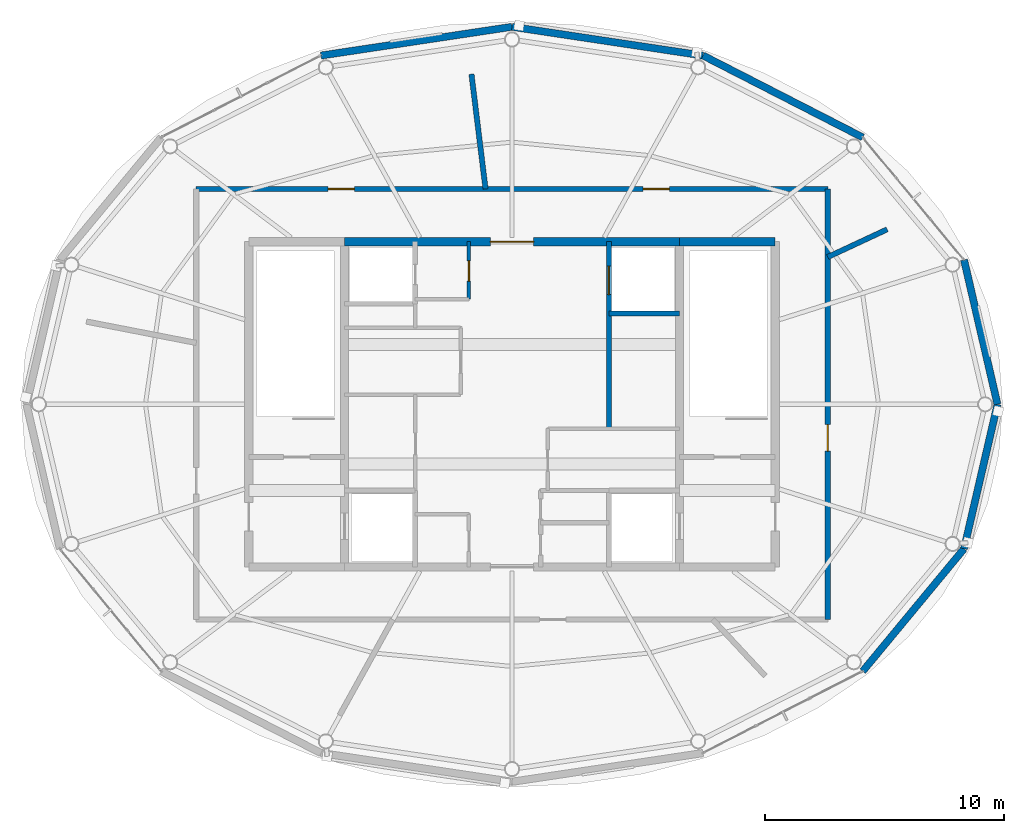
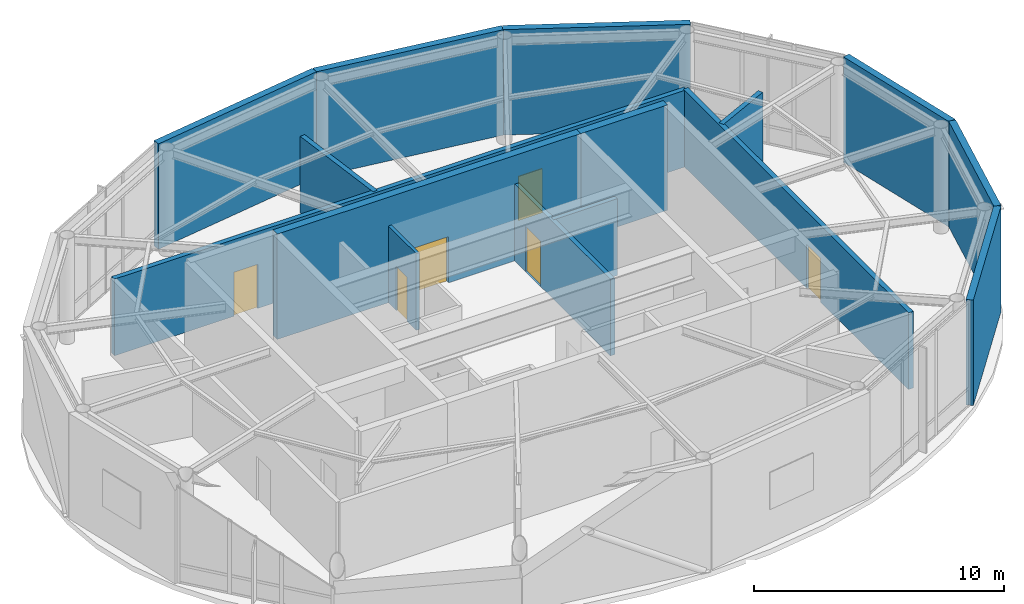
# One storey, part 13 of 14: 15 walls, 6 doors, 6 openings.
"""IFC4 building model written with IfcOpenShell, lengths in metres."""

from ifc_helpers import new_model, si_unit, direction, frame, frame_2d, origin, place, context, subcontext, project, spatial, rectangle, extrude, material, layer, layer_set, type_object, element, fill, save


model = new_model("IFC4")

# Units and contexts
model_context = context("Model", 3, precision=1e-05, world=origin(), true_north=direction((0.0, 1.0)))
body_context = subcontext(model_context, "Body", "Model", "MODEL_VIEW")
ifc_project = project(units=[si_unit("LENGTHUNIT", "METRE"), si_unit("AREAUNIT", "SQUARE_METRE"), si_unit("VOLUMEUNIT", "CUBIC_METRE"), si_unit("PLANEANGLEUNIT", "RADIAN"), si_unit("MASSUNIT", "GRAM", prefix="KILO")], contexts=[model_context])

# Site, building, storey
site_placement = place(None, origin())
site = spatial("IfcSite", under=ifc_project, at=site_placement, CompositionType="ELEMENT")
building_placement = place(site_placement, origin())
building = spatial("IfcBuilding", under=site, at=building_placement, Name="Sarneth Arch Tower", CompositionType="ELEMENT")
storey_placement = place(building_placement, frame((0.0, 0.0, 321.60009765625)))
storey = spatial("IfcBuildingStorey", under=building, at=storey_placement, Name="L83", CompositionType="ELEMENT", Elevation=321.60009765625)

# Wall, opening, door
ifc_material_1 = material(Name="Concrete C50/60", Category="concrete")
ifc_layer_1 = layer(ifc_material_1, 0.35009765625)
ifc_layer_set_1 = layer_set([ifc_layer_1], Name="Concrete C50/60")
wall_type_1 = type_object("IfcWallType", Name="WALL-CORE-350", PredefinedType="SHEAR", material=ifc_layer_set_1)
wall_1_placement = place(storey_placement, frame((41.0, 48.800048828125, 0.0), z_axis=(0.0, 0.0, 1.0), x_axis=(1.0, 0.0, 0.0)))
wall_1 = element("IfcWall", 1, at=wall_1_placement, inside=storey, type_object=wall_type_1, Name="L83 Core shear wall N-M", PredefinedType="SHEAR", context=body_context, shape_type="SweptSolid", body=[
    extrude(rectangle(XDim=14.0, YDim=0.35009765625, at=frame_2d((7.0, 0.0))), origin(), (0.0, 0.0, 1.0), 5.139892578125),
])
opening_1_placement = place(wall_1_placement, frame((6.10009765625, 0.0, 0.0)))
opening_1 = element("IfcOpeningElement", 2, at=opening_1_placement, cuts=wall_1, Name="Opening FD-01", PredefinedType="OPENING", context=body_context, shape_type="SweptSolid", body=[
    extrude(rectangle(XDim=1.800048828125, YDim=2.25, at=frame_2d((0.89990234375, 1.125))), frame((0.0, 0.18505859375, 0.0), z_axis=(0.0, -1.0, 0.0), x_axis=(1.0, 0.0, 0.0)), (0.0, 0.0, 1.0), 0.3701171875),
])
ifc_material_2 = material(Name="Galvanised Steel S275 fire door set", Category="steel")
door_type_1 = type_object("IfcDoorType", Name="DR-FD90-1800", OperationType="DOUBLE_DOOR_SINGLE_SWING", PredefinedType="DOOR", material=ifc_material_2)
door_1_placement = place(opening_1_placement, origin())
door_1 = element("IfcDoor", 3, at=door_1_placement, inside=storey, type_object=door_type_1, Name="L83 Central lift lobby north door", OperationType="DOUBLE_DOOR_SINGLE_SWING", OverallHeight=2.25, OverallWidth=1.800048828125, PredefinedType="DOOR", context=body_context, shape_type="SweptSolid", body=[
    extrude(rectangle(XDim=1.800048828125, YDim=2.25, at=frame_2d((0.89990234375, 1.125))), frame((0.0, 0.02490234375, 0.0), z_axis=(0.0, -1.0, 0.0), x_axis=(1.0, 0.0, 0.0)), (0.0, 0.0, 1.0), 0.050048828125),
])
fill(opening_1, door_1)

# Walls
wall_2_placement = place(storey_placement, frame((55.0, 48.800048828125, 0.0), z_axis=(0.0, 0.0, 1.0), x_axis=(1.0, 0.0, 0.0)))
element("IfcWall", 4, at=wall_2_placement, inside=storey, type_object=wall_type_1, Name="L83 Core shear wall N-E", PredefinedType="SHEAR", context=body_context, shape_type="SweptSolid", body=[
    extrude(rectangle(XDim=4.0, YDim=0.35009765625, at=frame_2d((2.0, 0.0))), origin(), (0.0, 0.0, 1.0), 5.139892578125),
])
ifc_material_3 = material(Name="Extruded terracotta rainscreen on Concrete C40/50 backing", Category="masonry")
ifc_layer_2 = layer(ifc_material_3, 0.300048828125)
ifc_layer_set_2 = layer_set([ifc_layer_2], Name="Extruded terracotta rainscreen on Concrete C40/50 backing")
wall_type_2 = type_object("IfcWallType", Name="WALL-EXT-ACOUST-300", PredefinedType="SOLIDWALL", material=ifc_layer_set_2)
wall_3_placement = place(storey_placement, frame((68.29541015625, 42.0, 0.0), z_axis=(0.0, 0.0, 1.0), x_axis=(-0.225604460723, 0.974218983238, 0.0)))
element("IfcWall", 5, at=wall_3_placement, inside=storey, type_object=wall_type_2, Name="L83 Terracotta perimeter wall 01", PredefinedType="SOLIDWALL", context=body_context, shape_type="SweptSolid", body=[
    extrude(rectangle(XDim=6.19873046875, YDim=0.300048828125, at=frame_2d((3.099365234375, 0.0))), origin(), (0.0, 0.0, 1.0), 5.139892578125),
])
wall_4_placement = place(storey_placement, frame((62.6611328125, 53.158203125, 0.0), z_axis=(0.0, 0.0, 1.0), x_axis=(-0.889963468701, 0.456031823866, 0.0)))
element("IfcWall", 6, at=wall_4_placement, inside=storey, type_object=wall_type_2, Name="L83 Terracotta perimeter wall 03", PredefinedType="SOLIDWALL", context=body_context, shape_type="SweptSolid", body=[
    extrude(rectangle(XDim=7.5009765625, YDim=0.300048828125, at=frame_2d((3.75048828125, 0.0))), origin(), (0.0, 0.0, 1.0), 5.139892578125),
])
for number, where, z_axis, x_axis, name in (
    (7, (55.985595703125, 56.578857421875, 0.0), (0.0, 0.0, 1.0), (-0.988875731541, 0.148744033727, 0.0), "L83 Terracotta perimeter wall 04"),
    (8, (48.0, 57.780029296875, 0.0), (0.0, 0.0, 1.0), (-0.988875731541, -0.148744033727, 0.0), "L83 Terracotta perimeter wall 05"),
):
    element("IfcWall", number, at=place(storey_placement, frame(where, z_axis=z_axis, x_axis=x_axis)), inside=storey, type_object=wall_type_2, Name=name, PredefinedType="SOLIDWALL", context=body_context, shape_type="SweptSolid", body=[
        extrude(rectangle(XDim=8.075439453125, YDim=0.300048828125, at=frame_2d((4.03759765625, 0.0))), origin(), (0.0, 0.0, 1.0), 5.139892578125),
    ])
wall_5_placement = place(storey_placement, frame((62.6611328125, 30.841796875, 0.0), z_axis=(0.0, 0.0, 1.0), x_axis=(0.637488001771, 0.770460282947, 0.0)))
element("IfcWall", 9, at=wall_5_placement, inside=storey, type_object=wall_type_2, Name="L83 Terracotta perimeter wall 15", PredefinedType="SOLIDWALL", context=body_context, shape_type="SweptSolid", body=[
    extrude(rectangle(XDim=6.64453125, YDim=0.300048828125, at=frame_2d((3.322265625, 0.0))), origin(), (0.0, 0.0, 1.0), 5.139892578125),
])
wall_6_placement = place(storey_placement, frame((66.89697265625, 35.961181640625, 0.0), z_axis=(0.0, 0.0, 1.0), x_axis=(0.225604460723, 0.974218983238, 0.0)))
element("IfcWall", 10, at=wall_6_placement, inside=storey, type_object=wall_type_2, Name="L83 Terracotta perimeter wall 16", PredefinedType="SOLIDWALL", context=body_context, shape_type="SweptSolid", body=[
    extrude(rectangle(XDim=6.19873046875, YDim=0.300048828125, at=frame_2d((3.099365234375, 0.0))), origin(), (0.0, 0.0, 1.0), 5.139892578125),
])

# Wall, opening, door
ifc_material_4 = material(Name="Aerated concrete blockwork C25/30", Category="masonry")
ifc_layer_3 = layer(ifc_material_4, 0.219970703125)
ifc_layer_set_3 = layer_set([ifc_layer_3], Name="Aerated concrete blockwork C25/30")
wall_type_3 = type_object("IfcWallType", Name="WALL-FIRE-220", PredefinedType="SOLIDWALL", material=ifc_layer_set_3)
wall_7_placement = place(storey_placement, frame((61.199951171875, 51.0, 0.0), z_axis=(0.0, 0.0, 1.0), x_axis=(0.0, -1.0, 0.0)))
wall_7 = element("IfcWall", 11, at=wall_7_placement, inside=storey, type_object=wall_type_3, Name="L83 Interior partition W-L83-TP-008", PredefinedType="SOLIDWALL", context=body_context, shape_type="SweptSolid", body=[
    extrude(rectangle(XDim=18.0, YDim=0.219970703125, at=frame_2d((9.0, 0.0))), origin(), (0.0, 0.0, 1.0), 3.739990234375),
])
opening_2_placement = place(wall_7_placement, frame((9.854736328125, 0.0, 0.0)))
opening_2 = element("IfcOpeningElement", 12, at=opening_2_placement, cuts=wall_7, Name="Opening FD-03", PredefinedType="OPENING", context=body_context, shape_type="SweptSolid", body=[
    extrude(rectangle(XDim=1.10009765625, YDim=2.14990234375, at=frame_2d((0.550048828125, 1.074951171875))), frame((0.0, 0.119873046875, 0.0), z_axis=(0.0, -1.0, 0.0), x_axis=(1.0, 0.0, 0.0)), (0.0, 0.0, 1.0), 0.239990234375),
])
ifc_material_5 = material(Name="Galvanised Steel S275 fire door set", Category="steel")
door_type_2 = type_object("IfcDoorType", Name="DR-FD90-1100", OperationType="SINGLE_SWING_LEFT", PredefinedType="DOOR", material=ifc_material_5)
door_2_placement = place(opening_2_placement, origin())
door_2 = element("IfcDoor", 13, at=door_2_placement, inside=storey, type_object=door_type_2, Name="L83 Interior door DR-L83-PSEC-5", OperationType="SINGLE_SWING_RIGHT", OverallHeight=2.14990234375, OverallWidth=1.10009765625, PredefinedType="DOOR", context=body_context, shape_type="SweptSolid", body=[
    extrude(rectangle(XDim=1.10009765625, YDim=2.14990234375, at=frame_2d((0.550048828125, 1.074951171875))), frame((0.0, 0.02490234375, 0.0), z_axis=(0.0, -1.0, 0.0), x_axis=(1.0, 0.0, 0.0)), (0.0, 0.0, 1.0), 0.050048828125),
])
fill(opening_2, door_2)

# Wall, openings, doors
wall_8_placement = place(storey_placement, frame((34.800048828125, 51.0, 0.0), z_axis=(0.0, 0.0, 1.0), x_axis=(1.0, 0.0, 0.0)))
wall_8 = element("IfcWall", 14, at=wall_8_placement, inside=storey, type_object=wall_type_3, Name="L83 Interior partition W-L83-TP-001", PredefinedType="SOLIDWALL", context=body_context, shape_type="SweptSolid", body=[
    extrude(rectangle(XDim=26.39990234375, YDim=0.219970703125, at=frame_2d((13.199951171875, 0.0))), origin(), (0.0, 0.0, 1.0), 3.739990234375),
])
opening_3_placement = place(wall_8_placement, frame((18.681396484375, 0.0, 0.0)))
opening_3 = element("IfcOpeningElement", 15, at=opening_3_placement, cuts=wall_8, Name="Opening FD-03", PredefinedType="OPENING", context=body_context, shape_type="SweptSolid", body=[
    extrude(rectangle(XDim=1.10009765625, YDim=2.14990234375, at=frame_2d((0.550048828125, 1.074951171875))), frame((0.0, 0.119873046875, 0.0), z_axis=(0.0, -1.0, 0.0), x_axis=(1.0, 0.0, 0.0)), (0.0, 0.0, 1.0), 0.239990234375),
])
opening_4_placement = place(wall_8_placement, frame((5.513671875, 0.0, 0.0)))
opening_4 = element("IfcOpeningElement", 16, at=opening_4_placement, cuts=wall_8, Name="Opening FD-03", PredefinedType="OPENING", context=body_context, shape_type="SweptSolid", body=[
    extrude(rectangle(XDim=1.10009765625, YDim=2.14990234375, at=frame_2d((0.550048828125, 1.074951171875))), frame((0.0, 0.119873046875, 0.0), z_axis=(0.0, -1.0, 0.0), x_axis=(1.0, 0.0, 0.0)), (0.0, 0.0, 1.0), 0.239990234375),
])
door_3_placement = place(opening_3_placement, origin())
door_3 = element("IfcDoor", 17, at=door_3_placement, inside=storey, type_object=door_type_2, Name="L83 Interior door DR-L83-PSEC-1", OperationType="SINGLE_SWING_LEFT", OverallHeight=2.14990234375, OverallWidth=1.10009765625, PredefinedType="DOOR", context=body_context, shape_type="SweptSolid", body=[
    extrude(rectangle(XDim=1.10009765625, YDim=2.14990234375, at=frame_2d((0.550048828125, 1.074951171875))), frame((0.0, 0.02490234375, 0.0), z_axis=(0.0, -1.0, 0.0), x_axis=(1.0, 0.0, 0.0)), (0.0, 0.0, 1.0), 0.050048828125),
])
fill(opening_3, door_3)
door_4_placement = place(opening_4_placement, origin())
door_4 = element("IfcDoor", 18, at=door_4_placement, inside=storey, type_object=door_type_2, Name="L83 Interior door DR-L83-PSEC-2", OperationType="SINGLE_SWING_LEFT", OverallHeight=2.14990234375, OverallWidth=1.10009765625, PredefinedType="DOOR", context=body_context, shape_type="SweptSolid", body=[
    extrude(rectangle(XDim=1.10009765625, YDim=2.14990234375, at=frame_2d((0.550048828125, 1.074951171875))), frame((0.0, 0.02490234375, 0.0), z_axis=(0.0, -1.0, 0.0), x_axis=(1.0, 0.0, 0.0)), (0.0, 0.0, 1.0), 0.050048828125),
])
fill(opening_4, door_4)

# Walls
wall_9_placement = place(storey_placement, frame((46.89501953125, 51.0, 0.0), z_axis=(0.0, 0.0, 1.0), x_axis=(-0.121854674678, 0.992547952625, 0.0)))
element("IfcWall", 19, at=wall_9_placement, inside=storey, type_object=wall_type_3, Name="L83 Interior partition W-L83-TP-010", PredefinedType="SOLIDWALL", context=body_context, shape_type="SweptSolid", body=[
    extrude(rectangle(XDim=4.838623046875, YDim=0.219970703125, at=frame_2d((2.41943359375, 0.0))), origin(), (0.0, 0.0, 1.0), 3.739990234375),
])
wall_10_placement = place(storey_placement, frame((61.199951171875, 48.1552734375, 0.0), z_axis=(0.0, 0.0, 1.0), x_axis=(0.906292453065, 0.422651143991, 0.0)))
element("IfcWall", 20, at=wall_10_placement, inside=storey, type_object=wall_type_3, Name="L83 Interior partition W-L83-TP-011", PredefinedType="SOLIDWALL", context=body_context, shape_type="SweptSolid", body=[
    extrude(rectangle(XDim=2.738037109375, YDim=0.219970703125, at=frame_2d((1.369140625, 0.0))), origin(), (0.0, 0.0, 1.0), 3.739990234375),
])

# Wall, opening, door
ifc_material_6 = material(Name="Acoustic gypsum stud partition", Category="gypsum")
ifc_layer_4 = layer(ifc_material_6, 0.14990234375)
ifc_layer_set_4 = layer_set([ifc_layer_4], Name="Acoustic gypsum stud partition")
wall_type_4 = type_object("IfcWallType", Name="WALL-PART-150", PredefinedType="PARTITIONING", material=ifc_layer_set_4)
wall_11_placement = place(storey_placement, frame((46.199951171875, 46.39990234375, 0.0), z_axis=(0.0, 0.0, 1.0), x_axis=(0.0, 1.0, 0.0)))
wall_11 = element("IfcWall", 21, at=wall_11_placement, inside=storey, type_object=wall_type_4, Name="L83 Interior partition W-L83-CSUP2-E", PredefinedType="PARTITIONING", context=body_context, shape_type="SweptSolid", body=[
    extrude(rectangle(XDim=2.400146484375, YDim=0.14990234375, at=frame_2d((1.2001953125, 0.0))), origin(), (0.0, 0.0, 1.0), 3.739990234375),
])
opening_5_placement = place(wall_11_placement, frame((0.75, 0.0, 0.0)))
opening_5 = element("IfcOpeningElement", 22, at=opening_5_placement, cuts=wall_11, Name="Opening FD-11", PredefinedType="OPENING", context=body_context, shape_type="SweptSolid", body=[
    extrude(rectangle(XDim=0.85009765625, YDim=2.14990234375, at=frame_2d((0.425048828125, 1.074951171875))), frame((0.0, 0.0849609375, 0.0), z_axis=(0.0, -1.0, 0.0), x_axis=(1.0, 0.0, 0.0)), (0.0, 0.0, 1.0), 0.169921875),
])
ifc_material_7 = material(Name="Galvanised Steel S275 closet fire door", Category="steel")
door_type_3 = type_object("IfcDoorType", Name="DR-FD60-850", OperationType="SINGLE_SWING_LEFT", PredefinedType="DOOR", material=ifc_material_7)
door_5_placement = place(opening_5_placement, origin())
door_5 = element("IfcDoor", 23, at=door_5_placement, inside=storey, type_object=door_type_3, Name="L83 Interior door DR-L83-CSUP2", OperationType="SINGLE_SWING_RIGHT", OverallHeight=2.14990234375, OverallWidth=0.85009765625, PredefinedType="DOOR", context=body_context, shape_type="SweptSolid", body=[
    extrude(rectangle(XDim=0.85009765625, YDim=2.14990234375, at=frame_2d((0.425048828125, 1.074951171875))), frame((0.0, 0.02490234375, 0.0), z_axis=(0.0, -1.0, 0.0), x_axis=(1.0, 0.0, 0.0)), (0.0, 0.0, 1.0), 0.050048828125),
])
fill(opening_5, door_5)

# Wall
ifc_material_8 = material(Name="Aerated concrete blockwork C25/30", Category="masonry")
ifc_layer_5 = layer(ifc_material_8, 0.199951171875)
ifc_layer_set_5 = layer_set([ifc_layer_5], Name="Aerated concrete blockwork C25/30")
wall_type_5 = type_object("IfcWallType", Name="WALL-SHAFT-200", PredefinedType="SOLIDWALL", material=ifc_layer_set_5)
wall_12_placement = place(storey_placement, frame((52.050048828125, 45.800048828125, 0.0), z_axis=(0.0, 0.0, 1.0), x_axis=(1.0, 0.0, 0.0)))
element("IfcWall", 24, at=wall_12_placement, inside=storey, type_object=wall_type_5, Name="L83 Interior partition W-L83-SL1-S", PredefinedType="SOLIDWALL", context=body_context, shape_type="SweptSolid", body=[
    extrude(rectangle(XDim=2.949951171875, YDim=0.199951171875, at=frame_2d((1.47509765625, 0.0))), origin(), (0.0, 0.0, 1.0), 3.739990234375),
])

# Wall, opening, door
wall_13_placement = place(storey_placement, frame((52.050048828125, 40.97998046875, 0.0), z_axis=(0.0, 0.0, 1.0), x_axis=(0.0, 1.0, 0.0)))
wall_13 = element("IfcWall", 25, at=wall_13_placement, inside=storey, type_object=wall_type_5, Name="L83 Interior partition W-L83-EASTBANK-UPPER", PredefinedType="SOLIDWALL", context=body_context, shape_type="SweptSolid", body=[
    extrude(rectangle(XDim=7.820068359375, YDim=0.199951171875, at=frame_2d((3.91015625, 0.0))), origin(), (0.0, 0.0, 1.0), 3.739990234375),
])
opening_6_placement = place(wall_13_placement, frame((5.60009765625, 0.0, 0.0)))
opening_6 = element("IfcOpeningElement", 26, at=opening_6_placement, cuts=wall_13, Name="Opening LD-2", PredefinedType="OPENING", context=body_context, shape_type="SweptSolid", body=[
    extrude(rectangle(XDim=1.199951171875, YDim=2.199951171875, at=frame_2d((0.60009765625, 1.10009765625))), frame((0.0, 0.10986328125, 0.0), z_axis=(0.0, -1.0, 0.0), x_axis=(1.0, 0.0, 0.0)), (0.0, 0.0, 1.0), 0.219970703125),
])
ifc_material_9 = material(Name="Brushed Stainless Steel 304 service lift door", Category="steel")
door_type_4 = type_object("IfcDoorType", Name="DR-LIFT-SLIDE-1200", OperationType="SLIDING_TO_RIGHT", PredefinedType="DOOR", material=ifc_material_9)
door_6_placement = place(opening_6_placement, origin())
door_6 = element("IfcDoor", 27, at=door_6_placement, inside=storey, type_object=door_type_4, Name="L83 Lift landing door DR-L83-LD-SL1", OperationType="SLIDING_TO_RIGHT", OverallHeight=2.199951171875, OverallWidth=1.199951171875, PredefinedType="DOOR", context=body_context, shape_type="SweptSolid", body=[
    extrude(rectangle(XDim=1.199951171875, YDim=2.199951171875, at=frame_2d((0.60009765625, 1.10009765625))), frame((0.0, 0.02490234375, 0.0), z_axis=(0.0, -1.0, 0.0), x_axis=(1.0, 0.0, 0.0)), (0.0, 0.0, 1.0), 0.050048828125),
])
fill(opening_6, door_6)

save(model, "model.ifc")
